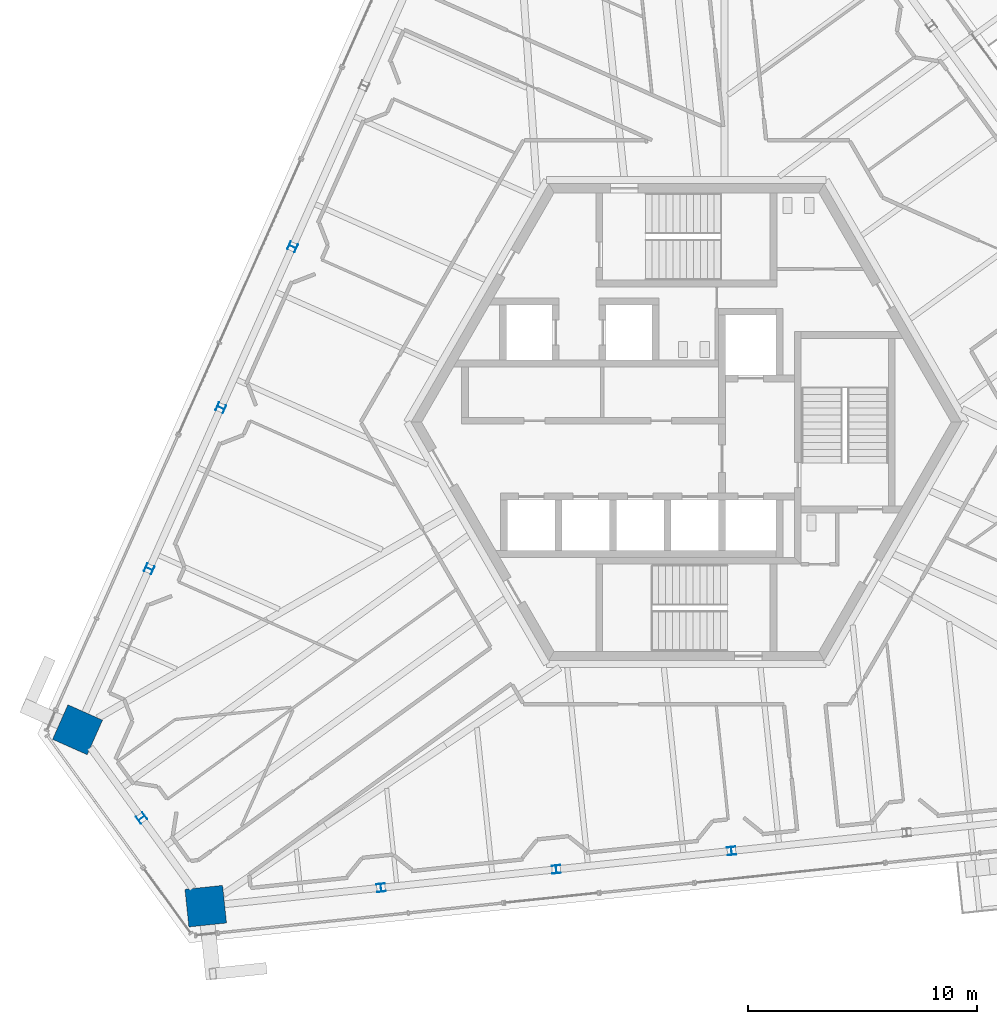
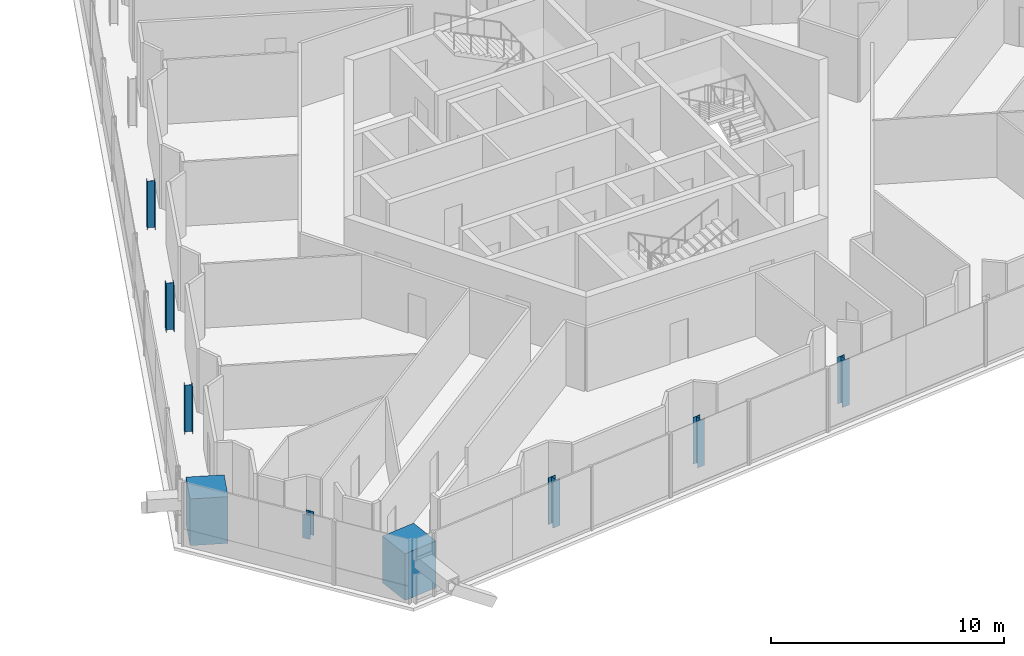
# One storey, part 1 of 26: 9 columns.
"""IFC4 building model written with IfcOpenShell, lengths in metres."""

import ifcopenshell
import ifcopenshell.guid

model = None  # the IFC model being written
_history = None  # IfcOwnerHistory: only IFC2X3 demands one
_inside = {}  # id of a spatial element -> (the spatial element, [elements in it])
_under = {}  # id of a project, library or spatial element -> (it, [spatial elements below it])
_declared = {}  # id of a project -> (the project, [libraries it declares])
_typed = {}  # id of a type object -> (the type object, [elements of that type])
_made_of = {}  # id of a material, layer set ... -> (it, [elements and type objects made of it])


def new_model(schema):
    """Start an empty IFC model of exactly this schema.

    Asked for "IFC4X3", IfcOpenShell would pick the latest addendum, in which some entities
    have other attributes; the version numbers below select the first issue.
    IFC2X3 requires an IfcOwnerHistory on every rooted entity: one is made here for all.
    """
    global model, _history
    if schema == "IFC4X3":
        model = ifcopenshell.file(schema_version=(4, 3, 0, 0))
    else:
        model = ifcopenshell.file(schema=schema)
    _inside.clear()
    _under.clear()
    _declared.clear()
    _typed.clear()
    _made_of.clear()
    _history = None
    if model.schema == "IFC2X3":
        org = make("IfcOrganization", Name="unknown")
        user = make(
            "IfcPersonAndOrganization",
            ThePerson=make("IfcPerson", FamilyName="unknown"),
            TheOrganization=org,
        )
        app = make(
            "IfcApplication",
            ApplicationDeveloper=org,
            Version="unknown",
            ApplicationFullName="unknown",
            ApplicationIdentifier="unknown",
        )
        _history = make(
            "IfcOwnerHistory",
            OwningUser=user,
            OwningApplication=app,
            ChangeAction="ADDED",
            CreationDate=0,
        )
    return model


def make(cls, **values):
    """One entity of the class cls with the attributes given. An attribute that is None is left unset."""
    return model.create_entity(
        cls, **{name: value for name, value in values.items() if value is not None}
    )


def rooted(cls, **values):
    """An entity with a GlobalId (a new one), such as an element, a storey or a relation."""
    return make(cls, GlobalId=ifcopenshell.guid.new(), OwnerHistory=_history, **values)


def si_unit(unit_type, name, prefix=None):
    """IfcSIUnit, for example si_unit("LENGTHUNIT", "METRE", prefix="MILLI")."""
    return make("IfcSIUnit", UnitType=unit_type, Prefix=prefix, Name=name)


def assignment(units):
    """IfcUnitAssignment: the units of a project."""
    return None if units is None else make("IfcUnitAssignment", Units=units)


def point(xyz):
    """IfcCartesianPoint."""
    return None if xyz is None else make("IfcCartesianPoint", Coordinates=xyz)


def direction(xyz):
    """IfcDirection."""
    return None if xyz is None else make("IfcDirection", DirectionRatios=xyz)


def frame(location, z_axis=None, x_axis=None):
    """IfcAxis2Placement3D, a coordinate frame: its origin and axes. An axis left out is left unset."""
    return make(
        "IfcAxis2Placement3D",
        Location=point(location),
        Axis=direction(z_axis),
        RefDirection=direction(x_axis),
    )


def frame_2d(location, x_axis=None):
    """IfcAxis2Placement2D, a coordinate frame in the plane: its origin and x axis."""
    return make(
        "IfcAxis2Placement2D", Location=point(location), RefDirection=direction(x_axis)
    )


def origin():
    """The frame at (0, 0, 0) with its axes left unset."""
    return frame((0.0, 0.0, 0.0))


def origin_2d():
    """The frame at (0, 0) in the plane with its x axis left unset."""
    return frame_2d((0.0, 0.0))


def place(relative_to, where):
    """IfcLocalPlacement: puts the frame where relative to a parent placement (None: the world)."""
    return make(
        "IfcLocalPlacement", PlacementRelTo=relative_to, RelativePlacement=where
    )


def context(
    kind, dimensions, precision=None, world=None, true_north=None, identifier=None
):
    """IfcGeometricRepresentationContext, for example the 3D "Model" context."""
    return make(
        "IfcGeometricRepresentationContext",
        ContextIdentifier=identifier,
        ContextType=kind,
        CoordinateSpaceDimension=dimensions,
        Precision=precision,
        WorldCoordinateSystem=world,
        TrueNorth=true_north,
    )


def subcontext(parent, identifier, kind, view, scale=None):
    """IfcGeometricRepresentationSubContext, for example "Body" below "Model"."""
    return make(
        "IfcGeometricRepresentationSubContext",
        ContextIdentifier=identifier,
        ContextType=kind,
        ParentContext=parent,
        TargetScale=scale,
        TargetView=view,
    )


def project(units=None, contexts=None):
    """IfcProject with its units and contexts."""
    return rooted(
        "IfcProject",
        Name="project",
        RepresentationContexts=contexts,
        UnitsInContext=assignment(units),
    )


def spatial(cls, under=None, at=None, **own):
    """A site, building, storey or space (cls), placed at a placement, below another one or the project."""
    s = rooted(cls, ObjectPlacement=at, **own)
    if under is not None:
        _under.setdefault(under.id(), (under, []))[1].append(s)
    return s


def profile(cls, at=None, kind="AREA", **sizes):
    """A parametric profile (cls). Its sizes go by their IFC names, for example OverallWidth=200.0."""
    return make(cls, ProfileType=kind, Position=at, **sizes)


def rectangle(**sizes):
    """IfcRectangleProfileDef."""
    return profile("IfcRectangleProfileDef", **sizes)


def i_section(**sizes):
    """IfcIShapeProfileDef."""
    return profile("IfcIShapeProfileDef", **sizes)


def extrude(swept, where, along, depth):
    """IfcExtrudedAreaSolid: the profile swept, set in the frame where, extruded along a direction by depth."""
    return make(
        "IfcExtrudedAreaSolid",
        SweptArea=swept,
        Position=where,
        ExtrudedDirection=direction(along),
        Depth=depth,
    )


def shape(context_of_items, identifier, shape_type, items):
    """IfcShapeRepresentation: the items that make up one representation, for example the "Body"."""
    return make(
        "IfcShapeRepresentation",
        ContextOfItems=context_of_items,
        RepresentationIdentifier=identifier,
        RepresentationType=shape_type,
        Items=items,
    )


def source(mapping_origin, context_of_items, identifier, shape_type, items):
    """IfcRepresentationMap: a shape defined once, which mapped items show again and again."""
    return make(
        "IfcRepresentationMap",
        MappingOrigin=mapping_origin,
        MappedRepresentation=shape(context_of_items, identifier, shape_type, items),
    )


def transform(
    local_origin,
    x_axis=None,
    y_axis=None,
    z_axis=None,
    scale=None,
    scale2=None,
    scale3=None,
    uniform=True,
):
    """IfcCartesianTransformationOperator3D, or its non-uniform kind. x_axis, y_axis, z_axis: its Axis1, 2, 3."""
    if uniform:
        return make(
            "IfcCartesianTransformationOperator3D",
            Axis1=direction(x_axis),
            Axis2=direction(y_axis),
            LocalOrigin=point(local_origin),
            Scale=scale,
            Axis3=direction(z_axis),
        )
    return make(
        "IfcCartesianTransformationOperator3DnonUniform",
        Axis1=direction(x_axis),
        Axis2=direction(y_axis),
        LocalOrigin=point(local_origin),
        Scale=scale,
        Axis3=direction(z_axis),
        Scale2=scale2,
        Scale3=scale3,
    )


def mapped(mapping_source, mapping_target):
    """IfcMappedItem: shows the shape of a source again, moved by a transform."""
    return make(
        "IfcMappedItem", MappingSource=mapping_source, MappingTarget=mapping_target
    )


def material(Name=None, Category=None):
    """IfcMaterial."""
    return make("IfcMaterial", Name=Name, Category=Category)


def material_profile(
    of_material, cross_section, Name=None, Category=None, Priority=None
):
    """IfcMaterialProfile: a cross section and its material."""
    return make(
        "IfcMaterialProfile",
        Name=Name,
        Material=of_material,
        Profile=cross_section,
        Priority=Priority,
        Category=Category,
    )


def profile_set(profiles, Name=None, composite=None):
    """IfcMaterialProfileSet."""
    return make(
        "IfcMaterialProfileSet",
        Name=Name,
        MaterialProfiles=profiles,
        CompositeProfile=composite,
    )


def made_of(thing, what):
    """Note that an element or type object is made of a material, layer set ...; save() writes the relation."""
    if what is not None:
        _made_of.setdefault(what.id(), (what, []))[1].append(thing)
    return thing


def type_object(cls, material=None, **own):
    """A type object (cls), such as IfcWallType, which elements share."""
    return made_of(rooted(cls, **own), material)


def element(
    cls,
    number,
    at=None,
    inside=None,
    cuts=None,
    type_object=None,
    material=None,
    context=None,
    identifier="Body",
    shape_type=None,
    held_by="IfcProductDefinitionShape",
    body=None,
    shapes=None,
    **own,
):
    """One element of the class cls, such as IfcWall. Its Tag is "e" and its number.

    at: its placement. inside: the storey or other place that contains it. cuts: it is an
    opening in that element (IfcRelVoidsElement). A single representation is given by context,
    identifier, shape_type and body (its items); several are given by shapes. held_by: the class
    of the entity that holds the representations. save() writes the other relations.
    """
    e = rooted(cls, Tag="e%d" % number, ObjectPlacement=at, **own)
    if body is not None:
        shapes = [shape(context, identifier, shape_type, body)]
    if shapes is not None:
        e.Representation = make(held_by, Representations=shapes)
    if inside is not None:
        _inside.setdefault(inside.id(), (inside, []))[1].append(e)
    if cuts is not None:
        rooted(
            "IfcRelVoidsElement", RelatingBuildingElement=cuts, RelatedOpeningElement=e
        )
    if type_object is not None:
        _typed.setdefault(type_object.id(), (type_object, []))[1].append(e)
    return made_of(e, material)


def aggregate(whole, parts):
    """IfcRelAggregates: a whole, such as a stair, and the parts it consists of."""
    return rooted("IfcRelAggregates", RelatingObject=whole, RelatedObjects=parts)


def save(model, path):
    """Write the relations noted so far, then the file.

    IfcRelAggregates (storeys below a building ...), IfcRelContainedInSpatialStructure (elements
    in a storey), IfcRelDefinesByType, IfcRelAssociatesMaterial and IfcRelDeclares: one each for
    every whole, place, type object, material and project.
    """
    for whole, parts in _under.values():
        aggregate(whole, parts)
    for where, things in _inside.values():
        rooted(
            "IfcRelContainedInSpatialStructure",
            RelatedElements=things,
            RelatingStructure=where,
        )
    for kind, things in _typed.values():
        rooted("IfcRelDefinesByType", RelatedObjects=things, RelatingType=kind)
    for what, things in _made_of.values():
        rooted("IfcRelAssociatesMaterial", RelatedObjects=things, RelatingMaterial=what)
    for by, libraries in _declared.values():
        rooted("IfcRelDeclares", RelatingContext=by, RelatedDefinitions=libraries)
    model.write(path)


model = new_model("IFC4")

# Units and contexts
model_context = context("Model", 3, precision=1e-05, world=origin(), true_north=direction((0.0, 1.0)))
body_context = subcontext(model_context, "Body", "Model", "MODEL_VIEW")
ifc_project = project(units=[si_unit("LENGTHUNIT", "METRE"), si_unit("AREAUNIT", "SQUARE_METRE"), si_unit("VOLUMEUNIT", "CUBIC_METRE"), si_unit("PLANEANGLEUNIT", "RADIAN"), si_unit("MASSUNIT", "GRAM", prefix="KILO")], contexts=[model_context])

# Site, building, storey
site_placement = place(None, origin())
site = spatial("IfcSite", under=ifc_project, at=site_placement, CompositionType="ELEMENT")
building_placement = place(site_placement, origin())
building = spatial("IfcBuilding", under=site, at=building_placement, Name="Triune Harvest Tower", CompositionType="ELEMENT")
storey_placement = place(building_placement, frame((0.0, 0.0, 252.10009765625)))
storey = spatial("IfcBuildingStorey", under=building, at=storey_placement, Name="L66", CompositionType="ELEMENT", Elevation=252.10009765625)

# Columns
ifc_material_1 = material(Name="Concrete 70 MPa", Category="concrete")
ifc_material_profile_1 = material_profile(ifc_material_1, rectangle(XDim=1.64990234375, YDim=1.64990234375, at=origin_2d()), Name="Composite 1650x1650")
ifc_profile_set_1 = profile_set([ifc_material_profile_1], Name="Concrete 70 MPa")
column_type_1 = type_object("IfcColumnType", Name="MC-6 Mega column Composite 1650x1650", PredefinedType="COLUMN", material=ifc_profile_set_1)
shared_shape_1 = source(origin(), body_context, "Body", "SweptSolid", [
    extrude(rectangle(XDim=1.64990234375, YDim=1.64990234375, at=origin_2d()), origin(), (0.0, 0.0, 1.0), 2.449951171875),
])
for number, where, z_axis, x_axis, name in (
    (1, (-26.5341796875, -13.40478515625, 0.0), (0.0, 0.0, 1.0), (-0.406738237513, -0.913544747752, 0.0), "col/L66/M14"),
    (2, (-20.9482421875, -21.09326171875, 0.0), (0.0, 0.0, 1.0), (0.99452171293, 0.104530199036, 0.0), "col/L66/M16"),
):
    element("IfcColumn", number, at=place(storey_placement, frame(where, z_axis=z_axis, x_axis=x_axis)), inside=storey, type_object=column_type_1, Name=name, PredefinedType="COLUMN", context=body_context, shape_type="MappedRepresentation", body=[
        mapped(shared_shape_1, transform((0.0, 0.0, 0.0), scale=1.0)),
    ])
ifc_material_2 = material(Name="Steel ASTM A992 Gr 50", Category="steel")
ifc_material_profile_2 = material_profile(ifc_material_2, i_section(OverallWidth=0.368408203125, OverallDepth=0.355712890625, WebThickness=0.01123046875, FlangeThickness=0.01806640625, at=origin_2d()), Name="W14x90")
ifc_profile_set_2 = profile_set([ifc_material_profile_2], Name="Steel ASTM A992 Gr 50")
column_type_2 = type_object("IfcColumnType", Name="PC-6 Perimeter column W14x90", PredefinedType="COLUMN", material=ifc_profile_set_2)
shared_shape_2 = source(origin(), body_context, "Body", "SweptSolid", [
    extrude(i_section(OverallWidth=0.368408203125, OverallDepth=0.355712890625, WebThickness=0.01123046875, FlangeThickness=0.01806640625, at=origin_2d()), origin(), (0.0, 0.0, 1.0), 2.449951171875),
])
for number, where, z_axis, x_axis, name in (
    (3, (-17.163818359375, 7.641845703125, 0.0), (0.0, 0.0, 1.0), (-0.406738237513, -0.913544747752, 0.0), "col/L66/P11"),
    (4, (-20.287109375, 0.626220703125, 0.0), (0.0, 0.0, 1.0), (-0.406738237513, -0.913544747752, 0.0), "col/L66/P12"),
    (5, (-23.41064453125, -6.389404296875, 0.0), (0.0, 0.0, 1.0), (-0.406738237513, -0.913544747752, 0.0), "col/L66/P13"),
    (6, (-13.310791015625, -20.29052734375, 0.0), (0.0, 0.0, 1.0), (0.99452171293, 0.104530199036, 0.0), "col/L66/P17"),
    (7, (-5.673583984375, -19.48779296875, 0.0), (0.0, 0.0, 1.0), (0.99452171293, 0.104530199036, 0.0), "col/L66/P18"),
    (8, (1.9638671875, -18.68505859375, 0.0), (0.0, 0.0, 1.0), (0.99452171293, 0.104530199036, 0.0), "col/L66/P19"),
):
    element("IfcColumn", number, at=place(storey_placement, frame(where, z_axis=z_axis, x_axis=x_axis)), inside=storey, type_object=column_type_2, Name=name, PredefinedType="COLUMN", context=body_context, shape_type="MappedRepresentation", body=[
        mapped(shared_shape_2, transform((0.0, 0.0, 0.0), scale=1.0)),
    ])
shared_shape_3 = source(origin(), body_context, "Body", "SweptSolid", [
    extrude(i_section(OverallWidth=0.368408203125, OverallDepth=0.355712890625, WebThickness=0.01123046875, FlangeThickness=0.01806640625, at=origin_2d()), origin(), (0.0, 0.0, 1.0), 1.25),
])
column_placement = place(storey_placement, frame((-23.7412109375, -17.2490234375, 1.199951171875), z_axis=(0.0, 0.0, 1.0), x_axis=(0.587785252292, -0.809016994375, 0.0)))
element("IfcColumn", 9, at=column_placement, inside=storey, type_object=column_type_2, Name="col/L66/P15", PredefinedType="COLUMN", context=body_context, shape_type="MappedRepresentation", body=[
    mapped(shared_shape_3, transform((0.0, 0.0, 0.0), scale=1.0)),
])

save(model, "model.ifc")
